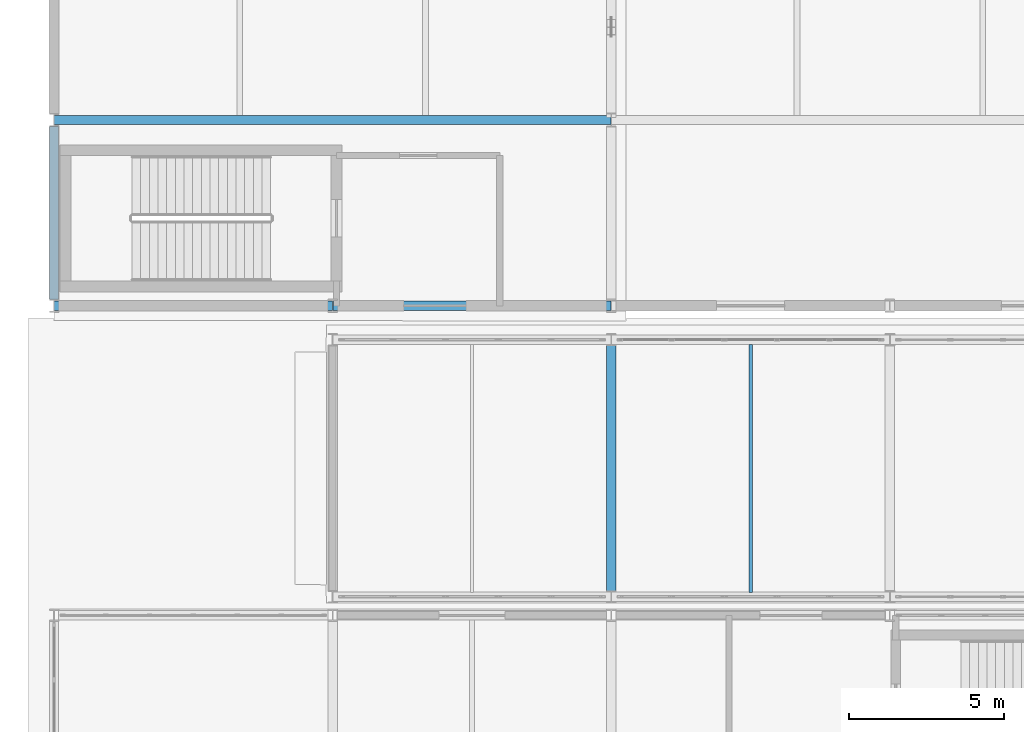
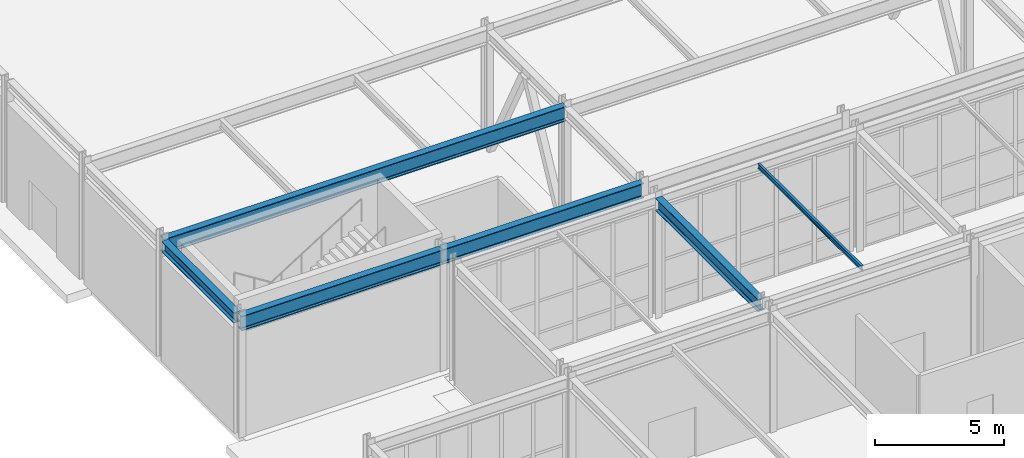
# One storey, part 48 of 146: 6 beams.
"""IFC4 building model written with IfcOpenShell, lengths in metres."""

import ifcopenshell
import ifcopenshell.guid

model = None  # the IFC model being written
_history = None  # IfcOwnerHistory: only IFC2X3 demands one
_inside = {}  # id of a spatial element -> (the spatial element, [elements in it])
_under = {}  # id of a project, library or spatial element -> (it, [spatial elements below it])
_declared = {}  # id of a project -> (the project, [libraries it declares])
_typed = {}  # id of a type object -> (the type object, [elements of that type])
_made_of = {}  # id of a material, layer set ... -> (it, [elements and type objects made of it])


def new_model(schema):
    """Start an empty IFC model of exactly this schema.

    Asked for "IFC4X3", IfcOpenShell would pick the latest addendum, in which some entities
    have other attributes; the version numbers below select the first issue.
    IFC2X3 requires an IfcOwnerHistory on every rooted entity: one is made here for all.
    """
    global model, _history
    if schema == "IFC4X3":
        model = ifcopenshell.file(schema_version=(4, 3, 0, 0))
    else:
        model = ifcopenshell.file(schema=schema)
    _inside.clear()
    _under.clear()
    _declared.clear()
    _typed.clear()
    _made_of.clear()
    _history = None
    if model.schema == "IFC2X3":
        org = make("IfcOrganization", Name="unknown")
        user = make(
            "IfcPersonAndOrganization",
            ThePerson=make("IfcPerson", FamilyName="unknown"),
            TheOrganization=org,
        )
        app = make(
            "IfcApplication",
            ApplicationDeveloper=org,
            Version="unknown",
            ApplicationFullName="unknown",
            ApplicationIdentifier="unknown",
        )
        _history = make(
            "IfcOwnerHistory",
            OwningUser=user,
            OwningApplication=app,
            ChangeAction="ADDED",
            CreationDate=0,
        )
    return model


def make(cls, **values):
    """One entity of the class cls with the attributes given. An attribute that is None is left unset."""
    return model.create_entity(
        cls, **{name: value for name, value in values.items() if value is not None}
    )


def rooted(cls, **values):
    """An entity with a GlobalId (a new one), such as an element, a storey or a relation."""
    return make(cls, GlobalId=ifcopenshell.guid.new(), OwnerHistory=_history, **values)


def si_unit(unit_type, name, prefix=None):
    """IfcSIUnit, for example si_unit("LENGTHUNIT", "METRE", prefix="MILLI")."""
    return make("IfcSIUnit", UnitType=unit_type, Prefix=prefix, Name=name)


def assignment(units):
    """IfcUnitAssignment: the units of a project."""
    return None if units is None else make("IfcUnitAssignment", Units=units)


def point(xyz):
    """IfcCartesianPoint."""
    return None if xyz is None else make("IfcCartesianPoint", Coordinates=xyz)


def direction(xyz):
    """IfcDirection."""
    return None if xyz is None else make("IfcDirection", DirectionRatios=xyz)


def frame(location, z_axis=None, x_axis=None):
    """IfcAxis2Placement3D, a coordinate frame: its origin and axes. An axis left out is left unset."""
    return make(
        "IfcAxis2Placement3D",
        Location=point(location),
        Axis=direction(z_axis),
        RefDirection=direction(x_axis),
    )


def frame_2d(location, x_axis=None):
    """IfcAxis2Placement2D, a coordinate frame in the plane: its origin and x axis."""
    return make(
        "IfcAxis2Placement2D", Location=point(location), RefDirection=direction(x_axis)
    )


def origin():
    """The frame at (0, 0, 0) with its axes left unset."""
    return frame((0.0, 0.0, 0.0))


def origin_2d():
    """The frame at (0, 0) in the plane with its x axis left unset."""
    return frame_2d((0.0, 0.0))


def place(relative_to, where):
    """IfcLocalPlacement: puts the frame where relative to a parent placement (None: the world)."""
    return make(
        "IfcLocalPlacement", PlacementRelTo=relative_to, RelativePlacement=where
    )


def context(
    kind, dimensions, precision=None, world=None, true_north=None, identifier=None
):
    """IfcGeometricRepresentationContext, for example the 3D "Model" context."""
    return make(
        "IfcGeometricRepresentationContext",
        ContextIdentifier=identifier,
        ContextType=kind,
        CoordinateSpaceDimension=dimensions,
        Precision=precision,
        WorldCoordinateSystem=world,
        TrueNorth=true_north,
    )


def subcontext(parent, identifier, kind, view, scale=None):
    """IfcGeometricRepresentationSubContext, for example "Body" below "Model"."""
    return make(
        "IfcGeometricRepresentationSubContext",
        ContextIdentifier=identifier,
        ContextType=kind,
        ParentContext=parent,
        TargetScale=scale,
        TargetView=view,
    )


def project(units=None, contexts=None):
    """IfcProject with its units and contexts."""
    return rooted(
        "IfcProject",
        Name="project",
        RepresentationContexts=contexts,
        UnitsInContext=assignment(units),
    )


def spatial(cls, under=None, at=None, **own):
    """A site, building, storey or space (cls), placed at a placement, below another one or the project."""
    s = rooted(cls, ObjectPlacement=at, **own)
    if under is not None:
        _under.setdefault(under.id(), (under, []))[1].append(s)
    return s


def profile(cls, at=None, kind="AREA", **sizes):
    """A parametric profile (cls). Its sizes go by their IFC names, for example OverallWidth=200.0."""
    return make(cls, ProfileType=kind, Position=at, **sizes)


def i_section(**sizes):
    """IfcIShapeProfileDef."""
    return profile("IfcIShapeProfileDef", **sizes)


def extrude(swept, where, along, depth):
    """IfcExtrudedAreaSolid: the profile swept, set in the frame where, extruded along a direction by depth."""
    return make(
        "IfcExtrudedAreaSolid",
        SweptArea=swept,
        Position=where,
        ExtrudedDirection=direction(along),
        Depth=depth,
    )


def shape(context_of_items, identifier, shape_type, items):
    """IfcShapeRepresentation: the items that make up one representation, for example the "Body"."""
    return make(
        "IfcShapeRepresentation",
        ContextOfItems=context_of_items,
        RepresentationIdentifier=identifier,
        RepresentationType=shape_type,
        Items=items,
    )


def material(Name=None, Category=None):
    """IfcMaterial."""
    return make("IfcMaterial", Name=Name, Category=Category)


def material_profile(
    of_material, cross_section, Name=None, Category=None, Priority=None
):
    """IfcMaterialProfile: a cross section and its material."""
    return make(
        "IfcMaterialProfile",
        Name=Name,
        Material=of_material,
        Profile=cross_section,
        Priority=Priority,
        Category=Category,
    )


def profile_set(profiles, Name=None, composite=None):
    """IfcMaterialProfileSet."""
    return make(
        "IfcMaterialProfileSet",
        Name=Name,
        MaterialProfiles=profiles,
        CompositeProfile=composite,
    )


def made_of(thing, what):
    """Note that an element or type object is made of a material, layer set ...; save() writes the relation."""
    if what is not None:
        _made_of.setdefault(what.id(), (what, []))[1].append(thing)
    return thing


def type_object(cls, material=None, **own):
    """A type object (cls), such as IfcWallType, which elements share."""
    return made_of(rooted(cls, **own), material)


def element(
    cls,
    number,
    at=None,
    inside=None,
    cuts=None,
    type_object=None,
    material=None,
    context=None,
    identifier="Body",
    shape_type=None,
    held_by="IfcProductDefinitionShape",
    body=None,
    shapes=None,
    **own,
):
    """One element of the class cls, such as IfcWall. Its Tag is "e" and its number.

    at: its placement. inside: the storey or other place that contains it. cuts: it is an
    opening in that element (IfcRelVoidsElement). A single representation is given by context,
    identifier, shape_type and body (its items); several are given by shapes. held_by: the class
    of the entity that holds the representations. save() writes the other relations.
    """
    e = rooted(cls, Tag="e%d" % number, ObjectPlacement=at, **own)
    if body is not None:
        shapes = [shape(context, identifier, shape_type, body)]
    if shapes is not None:
        e.Representation = make(held_by, Representations=shapes)
    if inside is not None:
        _inside.setdefault(inside.id(), (inside, []))[1].append(e)
    if cuts is not None:
        rooted(
            "IfcRelVoidsElement", RelatingBuildingElement=cuts, RelatedOpeningElement=e
        )
    if type_object is not None:
        _typed.setdefault(type_object.id(), (type_object, []))[1].append(e)
    return made_of(e, material)


def aggregate(whole, parts):
    """IfcRelAggregates: a whole, such as a stair, and the parts it consists of."""
    return rooted("IfcRelAggregates", RelatingObject=whole, RelatedObjects=parts)


def save(model, path):
    """Write the relations noted so far, then the file.

    IfcRelAggregates (storeys below a building ...), IfcRelContainedInSpatialStructure (elements
    in a storey), IfcRelDefinesByType, IfcRelAssociatesMaterial and IfcRelDeclares: one each for
    every whole, place, type object, material and project.
    """
    for whole, parts in _under.values():
        aggregate(whole, parts)
    for where, things in _inside.values():
        rooted(
            "IfcRelContainedInSpatialStructure",
            RelatedElements=things,
            RelatingStructure=where,
        )
    for kind, things in _typed.values():
        rooted("IfcRelDefinesByType", RelatedObjects=things, RelatingType=kind)
    for what, things in _made_of.values():
        rooted("IfcRelAssociatesMaterial", RelatedObjects=things, RelatingMaterial=what)
    for by, libraries in _declared.values():
        rooted("IfcRelDeclares", RelatingContext=by, RelatedDefinitions=libraries)
    model.write(path)


model = new_model("IFC4")

# Units and contexts
model_context = context("Model", 3, precision=1e-05, world=origin(), true_north=direction((0.0, 1.0)))
body_context = subcontext(model_context, "Body", "Model", "MODEL_VIEW")
ifc_project = project(units=[si_unit("LENGTHUNIT", "METRE"), si_unit("AREAUNIT", "SQUARE_METRE"), si_unit("VOLUMEUNIT", "CUBIC_METRE"), si_unit("PLANEANGLEUNIT", "RADIAN"), si_unit("MASSUNIT", "GRAM", prefix="KILO")], contexts=[model_context])

# Site, building, storey
site_placement = place(None, origin())
site = spatial("IfcSite", under=ifc_project, at=site_placement, CompositionType="ELEMENT")
building_placement = place(site_placement, origin())
building = spatial("IfcBuilding", under=site, at=building_placement, Name="Kaldris Quays Convention Centre", CompositionType="ELEMENT")
storey_placement = place(building_placement, origin())
storey = spatial("IfcBuildingStorey", under=building, at=storey_placement, Name="L00", CompositionType="ELEMENT", Elevation=0.0)

# Beams
ifc_material = material(Name="Steel S355J2", Category="steel")
ifc_material_profile_1 = material_profile(ifc_material, i_section(OverallWidth=0.300048828125, OverallDepth=0.699951171875, WebThickness=0.01708984375, FlangeThickness=0.031982421875, FilletRadius=0.027099609375, at=origin_2d()), Name="HEB 700")
ifc_profile_set_1 = profile_set([ifc_material_profile_1], Name="Steel S355J2")
beam_type_1 = type_object("IfcBeamType", Name="STRUCTURAL BEAM BM04", PredefinedType="BEAM", material=ifc_profile_set_1)
for number, where, z_axis, x_axis, name in (
    (1, (20.00439453125, 56.0, 5.3330078125), (1.0, 0.0, 0.0), (0.0, 1.0, 0.0), "L00 Girder BM04 1"),
    (2, (29.00439453125, 56.0, 5.3330078125), (1.0, 0.0, 0.0), (0.0, 1.0, 0.0), "L00 Girder BM04 2"),
):
    element("IfcBeam", number, at=place(storey_placement, frame(where, z_axis=z_axis, x_axis=x_axis)), inside=storey, type_object=beam_type_1, Name=name, PredefinedType="BEAM", context=body_context, shape_type="SweptSolid", body=[
        extrude(i_section(OverallWidth=0.300048828125, OverallDepth=0.699951171875, WebThickness=0.01708984375, FlangeThickness=0.031982421875, FilletRadius=0.027099609375, at=origin_2d()), origin(), (0.0, 0.0, 1.0), 8.9912109375),
    ])
beam_1_placement = place(storey_placement, frame((20.00439453125, 62.0, 5.3330078125), z_axis=(1.0, 0.0, 0.0), x_axis=(0.0, 1.0, 0.0)))
element("IfcBeam", 3, at=beam_1_placement, inside=storey, type_object=beam_type_1, Name="L00 Girder BM04 15", PredefinedType="BEAM", context=body_context, shape_type="SweptSolid", body=[
    extrude(i_section(OverallWidth=0.300048828125, OverallDepth=0.699951171875, WebThickness=0.01708984375, FlangeThickness=0.031982421875, FilletRadius=0.027099609375, at=origin_2d()), origin(), (0.0, 0.0, 1.0), 17.99462890625),
])
ifc_material_profile_2 = material_profile(ifc_material, i_section(OverallWidth=0.300048828125, OverallDepth=0.5, WebThickness=0.014404296875, FlangeThickness=0.028076171875, FilletRadius=0.027099609375, at=origin_2d()), Name="HEB 500")
ifc_profile_set_2 = profile_set([ifc_material_profile_2], Name="Steel S355J2")
beam_type_2 = type_object("IfcBeamType", Name="STRUCTURAL BEAM BM06", PredefinedType="BEAM", material=ifc_profile_set_2)
beam_2_placement = place(storey_placement, frame((20.0, 56.2099609375, 5.43310546875), z_axis=(0.0, 1.0, 0.0), x_axis=(-1.0, 0.0, 0.0)))
element("IfcBeam", 4, at=beam_2_placement, inside=storey, type_object=beam_type_2, Name="L00 Girder BM06 50", PredefinedType="BEAM", context=body_context, shape_type="SweptSolid", body=[
    extrude(i_section(OverallWidth=0.300048828125, OverallDepth=0.5, WebThickness=0.014404296875, FlangeThickness=0.028076171875, FilletRadius=0.027099609375, at=origin_2d()), origin(), (0.0, 0.0, 1.0), 5.580078125),
])
ifc_material_profile_3 = material_profile(ifc_material, i_section(OverallWidth=0.300048828125, OverallDepth=0.590087890625, WebThickness=0.012939453125, FlangeThickness=0.02490234375, FilletRadius=0.027099609375, at=origin_2d()), Name="HEA 600")
ifc_profile_set_3 = profile_set([ifc_material_profile_3], Name="Steel S355J2")
beam_type_3 = type_object("IfcBeamType", Name="STRUCTURAL BEAM BM08", PredefinedType="BEAM", material=ifc_profile_set_3)
beam_3_placement = place(storey_placement, frame((38.0, 46.7890625, 5.427978515625), z_axis=(0.0, 1.0, 0.0), x_axis=(-1.0, 0.0, 0.0)))
element("IfcBeam", 5, at=beam_3_placement, inside=storey, type_object=beam_type_3, Name="L00 Girder BM08 14", PredefinedType="BEAM", context=body_context, shape_type="SweptSolid", body=[
    extrude(i_section(OverallWidth=0.300048828125, OverallDepth=0.590087890625, WebThickness=0.012939453125, FlangeThickness=0.02490234375, FilletRadius=0.027099609375, at=origin_2d()), origin(), (0.0, 0.0, 1.0), 7.921875),
])
ifc_material_profile_4 = material_profile(ifc_material, i_section(OverallWidth=0.110107421875, OverallDepth=0.219970703125, WebThickness=0.005859375, FlangeThickness=0.00927734375, FilletRadius=0.011962890625, at=origin_2d()), Name="IPE 220")
ifc_profile_set_4 = profile_set([ifc_material_profile_4], Name="Steel S355J2")
beam_type_4 = type_object("IfcBeamType", Name="STRUCTURAL BEAM JT08", PredefinedType="JOIST", material=ifc_profile_set_4)
beam_4_placement = place(storey_placement, frame((42.5, 46.743896484375, 5.613037109375), z_axis=(0.0, 1.0, 0.0), x_axis=(-1.0, 0.0, 0.0)))
element("IfcBeam", 6, at=beam_4_placement, inside=storey, type_object=beam_type_4, Name="L00 Secondary Joist JT08 2", PredefinedType="JOIST", context=body_context, shape_type="SweptSolid", body=[
    extrude(i_section(OverallWidth=0.110107421875, OverallDepth=0.219970703125, WebThickness=0.005859375, FlangeThickness=0.00927734375, FilletRadius=0.011962890625, at=origin_2d()), origin(), (0.0, 0.0, 1.0), 8.01220703125),
])

save(model, "model.ifc")
